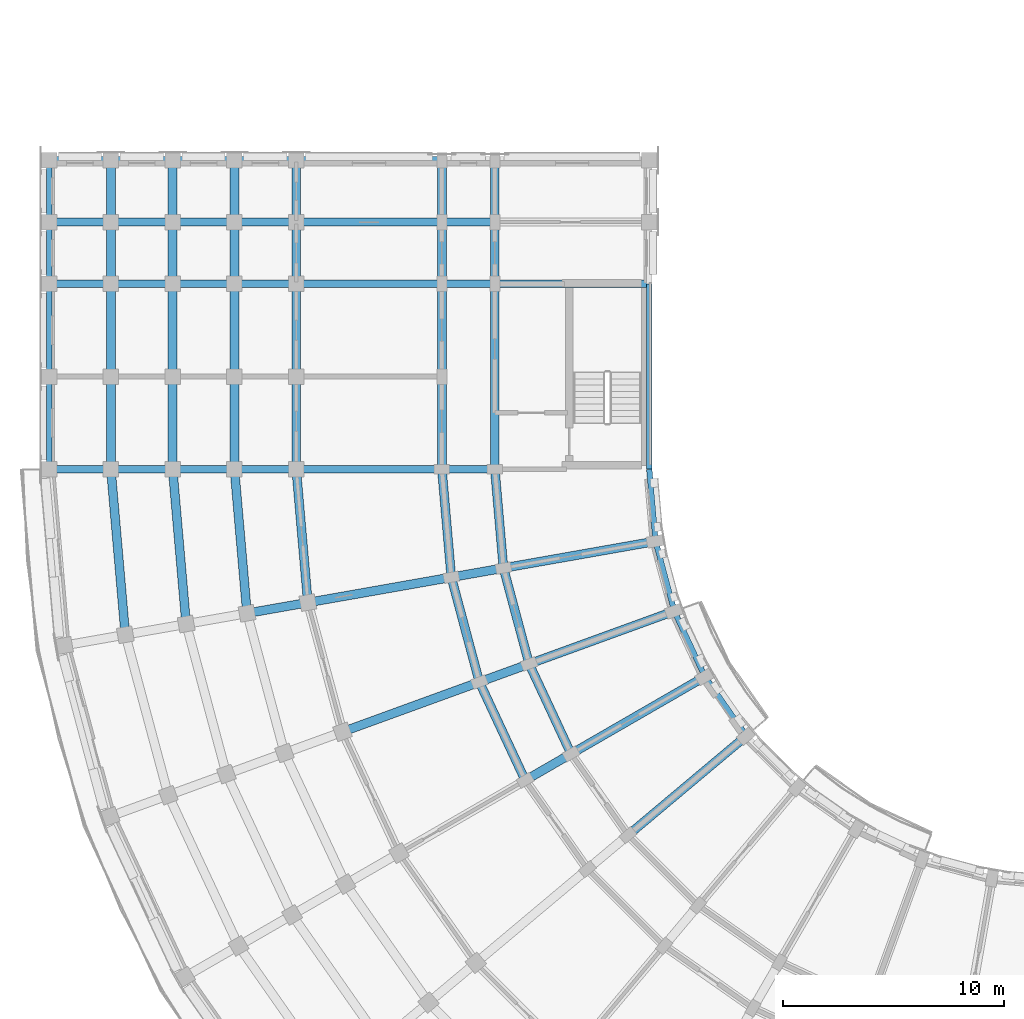
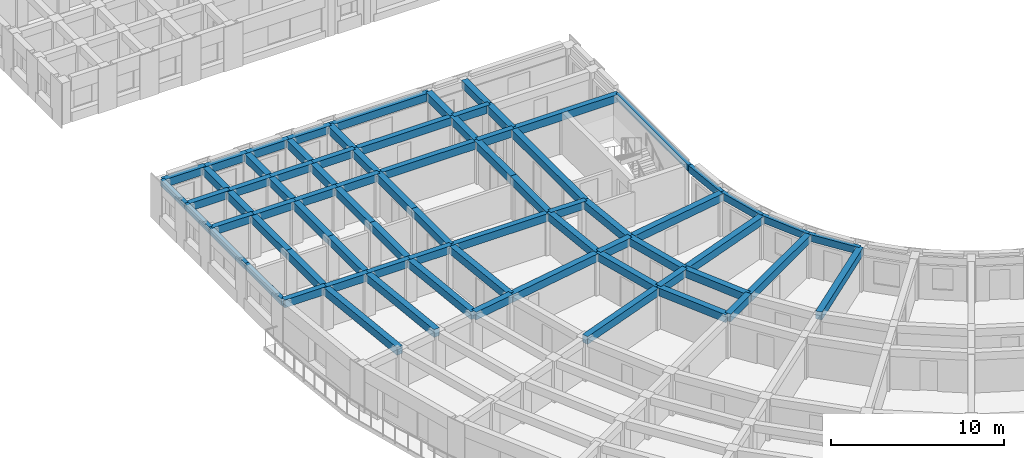
# One storey, part 6 of 57: 76 beams.
"""IFC4 building model written with IfcOpenShell, lengths in metres."""

from ifc_helpers import new_model, si_unit, direction, frame, origin, origin_2d, place, context, subcontext, project, spatial, rectangle, extrude, material, material_profile, profile_set, type_object, element, save


model = new_model("IFC4")

# Units and contexts
model_context = context("Model", 3, precision=1e-05, world=origin(), true_north=direction((0.0, 1.0)))
body_context = subcontext(model_context, "Body", "Model", "MODEL_VIEW")
ifc_project = project(units=[si_unit("LENGTHUNIT", "METRE"), si_unit("AREAUNIT", "SQUARE_METRE"), si_unit("VOLUMEUNIT", "CUBIC_METRE"), si_unit("PLANEANGLEUNIT", "RADIAN"), si_unit("MASSUNIT", "GRAM", prefix="KILO")], contexts=[model_context])

# Site, building, storey
site_placement = place(None, origin())
site = spatial("IfcSite", under=ifc_project, at=site_placement, CompositionType="ELEMENT")
building_placement = place(site_placement, origin())
building = spatial("IfcBuilding", under=site, at=building_placement, Name="Kiranvali Square Residences", CompositionType="ELEMENT")
storey_placement = place(building_placement, frame((0.0, 0.0, 18.14990234375)))
storey = spatial("IfcBuildingStorey", under=building, at=storey_placement, Name="L05", CompositionType="ELEMENT", Elevation=18.14990234375)

# Beams
ifc_material_1 = material(Name="Concrete M40 (40 MPa)", Category="concrete")
ifc_material_profile_1 = material_profile(ifc_material_1, rectangle(XDim=0.35009765625, YDim=0.550048828125, at=origin_2d()), Name="RC 350x550")
ifc_profile_set_1 = profile_set([ifc_material_profile_1], Name="Concrete M40 (40 MPa)")
beam_type_1 = type_object("IfcBeamType", Name="BM-M40-350x550", PredefinedType="BEAM", material=ifc_profile_set_1)
beam_1_placement = place(storey_placement, frame((22.39990234375, 48.199951171875, 2.655029296875), z_axis=(-1.0, 0.0, 0.0), x_axis=(0.0, -1.0, 0.0)))
element("IfcBeam", 1, at=beam_1_placement, inside=storey, type_object=beam_type_1, Name="L05 beam BM-C-L05-A2T0-12", PredefinedType="BEAM", context=body_context, shape_type="SweptSolid", body=[
    extrude(rectangle(XDim=0.35009765625, YDim=0.550048828125, at=origin_2d()), origin(), (0.0, 0.0, 1.0), 2.39990234375),
])
beam_2_placement = place(storey_placement, frame((20.0, 48.199951171875, 2.655029296875), z_axis=(-1.0, 0.0, 0.0), x_axis=(0.0, -1.0, 0.0)))
element("IfcBeam", 2, at=beam_2_placement, inside=storey, type_object=beam_type_1, Name="L05 beam BM-C-L05-A2T0-23", PredefinedType="BEAM", context=body_context, shape_type="SweptSolid", body=[
    extrude(rectangle(XDim=0.35009765625, YDim=0.550048828125, at=origin_2d()), origin(), (0.0, 0.0, 1.0), 6.60009765625),
])
beam_3_placement = place(storey_placement, frame((13.39990234375, 48.199951171875, 2.655029296875), z_axis=(-1.0, 0.0, 0.0), x_axis=(0.0, -1.0, 0.0)))
element("IfcBeam", 3, at=beam_3_placement, inside=storey, type_object=beam_type_1, Name="L05 beam BM-C-L05-A2T0-34", PredefinedType="BEAM", context=body_context, shape_type="SweptSolid", body=[
    extrude(rectangle(XDim=0.35009765625, YDim=0.550048828125, at=origin_2d()), origin(), (0.0, 0.0, 1.0), 2.7998046875),
])
for number, where, z_axis, x_axis, name in (
    (4, (10.60009765625, 48.199951171875, 2.655029296875), (-1.0, 0.0, 0.0), (0.0, -1.0, 0.0), "L05 beam BM-C-L05-A2T0-45"),
    (5, (7.800048828125, 48.199951171875, 2.655029296875), (-1.0, 0.0, 0.0), (0.0, -1.0, 0.0), "L05 beam BM-C-L05-A2T0-56"),
    (6, (5.0, 48.199951171875, 2.695068359375), (-1.0, 0.0, 0.0), (0.0, -1.0, 0.0), "L05 beam BM-C-L05-A2T0-67"),
):
    element("IfcBeam", number, at=place(storey_placement, frame(where, z_axis=z_axis, x_axis=x_axis)), inside=storey, type_object=beam_type_1, Name=name, PredefinedType="BEAM", context=body_context, shape_type="SweptSolid", body=[
        extrude(rectangle(XDim=0.35009765625, YDim=0.550048828125, at=origin_2d()), origin(), (0.0, 0.0, 1.0), 2.800048828125),
    ])
beam_4_placement = place(storey_placement, frame((29.39990234375, 56.60009765625, 2.655029296875), z_axis=(-1.0, 0.0, 0.0), x_axis=(0.0, -1.0, 0.0)))
element("IfcBeam", 7, at=beam_4_placement, inside=storey, type_object=beam_type_1, Name="L05 beam BM-C-L05-A2T1-01", PredefinedType="BEAM", context=body_context, shape_type="SweptSolid", body=[
    extrude(rectangle(XDim=0.35009765625, YDim=0.550048828125, at=origin_2d()), origin(), (0.0, 0.0, 1.0), 7.0),
])
beam_5_placement = place(storey_placement, frame((22.39990234375, 56.60009765625, 2.655029296875), z_axis=(-1.0, 0.0, 0.0), x_axis=(0.0, -1.0, 0.0)))
element("IfcBeam", 8, at=beam_5_placement, inside=storey, type_object=beam_type_1, Name="L05 beam BM-C-L05-A2T1-12", PredefinedType="BEAM", context=body_context, shape_type="SweptSolid", body=[
    extrude(rectangle(XDim=0.35009765625, YDim=0.550048828125, at=origin_2d()), origin(), (0.0, 0.0, 1.0), 2.39990234375),
])
beam_6_placement = place(storey_placement, frame((20.0, 56.60009765625, 2.655029296875), z_axis=(-1.0, 0.0, 0.0), x_axis=(0.0, -1.0, 0.0)))
element("IfcBeam", 9, at=beam_6_placement, inside=storey, type_object=beam_type_1, Name="L05 beam BM-C-L05-A2T1-23", PredefinedType="BEAM", context=body_context, shape_type="SweptSolid", body=[
    extrude(rectangle(XDim=0.35009765625, YDim=0.550048828125, at=origin_2d()), origin(), (0.0, 0.0, 1.0), 6.60009765625),
])
beam_7_placement = place(storey_placement, frame((13.39990234375, 56.60009765625, 2.655029296875), z_axis=(-1.0, 0.0, 0.0), x_axis=(0.0, -1.0, 0.0)))
element("IfcBeam", 10, at=beam_7_placement, inside=storey, type_object=beam_type_1, Name="L05 beam BM-C-L05-A2T1-34", PredefinedType="BEAM", context=body_context, shape_type="SweptSolid", body=[
    extrude(rectangle(XDim=0.35009765625, YDim=0.550048828125, at=origin_2d()), origin(), (0.0, 0.0, 1.0), 2.7998046875),
])
for number, where, z_axis, x_axis, name in (
    (11, (10.60009765625, 56.60009765625, 2.655029296875), (-1.0, 0.0, 0.0), (0.0, -1.0, 0.0), "L05 beam BM-C-L05-A2T1-45"),
    (12, (7.800048828125, 56.60009765625, 2.655029296875), (-1.0, 0.0, 0.0), (0.0, -1.0, 0.0), "L05 beam BM-C-L05-A2T1-56"),
    (13, (5.0, 56.60009765625, 2.695068359375), (-1.0, 0.0, 0.0), (0.0, -1.0, 0.0), "L05 beam BM-C-L05-A2T1-67"),
):
    element("IfcBeam", number, at=place(storey_placement, frame(where, z_axis=z_axis, x_axis=x_axis)), inside=storey, type_object=beam_type_1, Name=name, PredefinedType="BEAM", context=body_context, shape_type="SweptSolid", body=[
        extrude(rectangle(XDim=0.35009765625, YDim=0.550048828125, at=origin_2d()), origin(), (0.0, 0.0, 1.0), 2.800048828125),
    ])
beam_8_placement = place(storey_placement, frame((22.39990234375, 59.39990234375, 2.655029296875), z_axis=(-1.0, 0.0, 0.0), x_axis=(0.0, -1.0, 0.0)))
element("IfcBeam", 14, at=beam_8_placement, inside=storey, type_object=beam_type_1, Name="L05 beam BM-C-L05-A2T2-12", PredefinedType="BEAM", context=body_context, shape_type="SweptSolid", body=[
    extrude(rectangle(XDim=0.35009765625, YDim=0.550048828125, at=origin_2d()), origin(), (0.0, 0.0, 1.0), 2.39990234375),
])
beam_9_placement = place(storey_placement, frame((20.0, 59.39990234375, 2.655029296875), z_axis=(-1.0, 0.0, 0.0), x_axis=(0.0, -1.0, 0.0)))
element("IfcBeam", 15, at=beam_9_placement, inside=storey, type_object=beam_type_1, Name="L05 beam BM-C-L05-A2T2-23", PredefinedType="BEAM", context=body_context, shape_type="SweptSolid", body=[
    extrude(rectangle(XDim=0.35009765625, YDim=0.550048828125, at=origin_2d()), origin(), (0.0, 0.0, 1.0), 6.60009765625),
])
beam_10_placement = place(storey_placement, frame((13.39990234375, 59.39990234375, 2.655029296875), z_axis=(-1.0, 0.0, 0.0), x_axis=(0.0, -1.0, 0.0)))
element("IfcBeam", 16, at=beam_10_placement, inside=storey, type_object=beam_type_1, Name="L05 beam BM-C-L05-A2T2-34", PredefinedType="BEAM", context=body_context, shape_type="SweptSolid", body=[
    extrude(rectangle(XDim=0.35009765625, YDim=0.550048828125, at=origin_2d()), origin(), (0.0, 0.0, 1.0), 2.7998046875),
])
for number, where, z_axis, x_axis, name in (
    (17, (10.60009765625, 59.39990234375, 2.655029296875), (-1.0, 0.0, 0.0), (0.0, -1.0, 0.0), "L05 beam BM-C-L05-A2T2-45"),
    (18, (7.800048828125, 59.39990234375, 2.655029296875), (-1.0, 0.0, 0.0), (0.0, -1.0, 0.0), "L05 beam BM-C-L05-A2T2-56"),
    (19, (5.0, 59.39990234375, 2.695068359375), (-1.0, 0.0, 0.0), (0.0, -1.0, 0.0), "L05 beam BM-C-L05-A2T2-67"),
):
    element("IfcBeam", number, at=place(storey_placement, frame(where, z_axis=z_axis, x_axis=x_axis)), inside=storey, type_object=beam_type_1, Name=name, PredefinedType="BEAM", context=body_context, shape_type="SweptSolid", body=[
        extrude(rectangle(XDim=0.35009765625, YDim=0.550048828125, at=origin_2d()), origin(), (0.0, 0.0, 1.0), 2.800048828125),
    ])
beam_11_placement = place(storey_placement, frame((20.0, 62.199951171875, 2.655029296875), z_axis=(-1.0, 0.0, 0.0), x_axis=(0.0, -1.0, 0.0)))
element("IfcBeam", 20, at=beam_11_placement, inside=storey, type_object=beam_type_1, Name="L05 beam BM-C-L05-A2T3-23", PredefinedType="BEAM", context=body_context, shape_type="SweptSolid", body=[
    extrude(rectangle(XDim=0.35009765625, YDim=0.550048828125, at=origin_2d()), origin(), (0.0, 0.0, 1.0), 6.60009765625),
])
beam_12_placement = place(storey_placement, frame((13.39990234375, 62.199951171875, 2.655029296875), z_axis=(-1.0, 0.0, 0.0), x_axis=(0.0, -1.0, 0.0)))
element("IfcBeam", 21, at=beam_12_placement, inside=storey, type_object=beam_type_1, Name="L05 beam BM-C-L05-A2T3-34", PredefinedType="BEAM", context=body_context, shape_type="SweptSolid", body=[
    extrude(rectangle(XDim=0.35009765625, YDim=0.550048828125, at=origin_2d()), origin(), (0.0, 0.0, 1.0), 2.7998046875),
])
for number, where, z_axis, x_axis, name in (
    (22, (10.60009765625, 62.199951171875, 2.655029296875), (-1.0, 0.0, 0.0), (0.0, -1.0, 0.0), "L05 beam BM-C-L05-A2T3-45"),
    (23, (7.800048828125, 62.199951171875, 2.655029296875), (-1.0, 0.0, 0.0), (0.0, -1.0, 0.0), "L05 beam BM-C-L05-A2T3-56"),
    (24, (5.0, 62.199951171875, 2.695068359375), (-1.0, 0.0, 0.0), (0.0, -1.0, 0.0), "L05 beam BM-C-L05-A2T3-67"),
):
    element("IfcBeam", number, at=place(storey_placement, frame(where, z_axis=z_axis, x_axis=x_axis)), inside=storey, type_object=beam_type_1, Name=name, PredefinedType="BEAM", context=body_context, shape_type="SweptSolid", body=[
        extrude(rectangle(XDim=0.35009765625, YDim=0.550048828125, at=origin_2d()), origin(), (0.0, 0.0, 1.0), 2.800048828125),
    ])
ifc_material_2 = material(Name="Concrete M45 (45 MPa)", Category="concrete")
ifc_material_profile_2 = material_profile(ifc_material_2, rectangle(XDim=0.39990234375, YDim=0.550048828125, at=origin_2d()), Name="RC 400x550")
ifc_profile_set_2 = profile_set([ifc_material_profile_2], Name="Concrete M45 (45 MPa)")
beam_type_2 = type_object("IfcBeamType", Name="BM-M45-400x550", PredefinedType="BEAM", material=ifc_profile_set_2)
beam_13_placement = place(storey_placement, frame((25.8564453125, 35.300048828125, 2.655029296875), z_axis=(-0.422617978463, 0.906307919131, 0.0), x_axis=(-0.906307919131, -0.422617978463, 0.0)))
element("IfcBeam", 25, at=beam_13_placement, inside=storey, type_object=beam_type_2, Name="L05 beam BM-C-L05-C06-R1", PredefinedType="BEAM", context=body_context, shape_type="SweptSolid", body=[
    extrude(rectangle(XDim=0.39990234375, YDim=0.550048828125, at=origin_2d()), origin(), (0.0, 0.0, 1.0), 4.497314453125),
])
beam_14_placement = place(storey_placement, frame((23.778076171875, 34.10009765625, 2.655029296875), z_axis=(-0.422629854778, 0.906302381024, 0.0), x_axis=(-0.906302381024, -0.422629854778, 0.0)))
element("IfcBeam", 26, at=beam_14_placement, inside=storey, type_object=beam_type_2, Name="L05 beam BM-C-L05-C06-R2", PredefinedType="BEAM", context=body_context, shape_type="SweptSolid", body=[
    extrude(rectangle(XDim=0.39990234375, YDim=0.550048828125, at=origin_2d()), origin(), (0.0, 0.0, 1.0), 4.915283203125),
])
beam_15_placement = place(storey_placement, frame((23.955810546875, 39.3759765625, 2.655029296875), z_axis=(-0.258787642463, 0.965934240054, 0.0), x_axis=(-0.965934240054, -0.258787642463, 0.0)))
element("IfcBeam", 27, at=beam_15_placement, inside=storey, type_object=beam_type_2, Name="L05 beam BM-C-L05-C07-R1", PredefinedType="BEAM", context=body_context, shape_type="SweptSolid", body=[
    extrude(rectangle(XDim=0.39990234375, YDim=0.550048828125, at=origin_2d()), origin(), (0.0, 0.0, 1.0), 4.497314453125),
])
beam_16_placement = place(storey_placement, frame((21.70068359375, 38.554931640625, 2.655029296875), z_axis=(-0.258803112091, 0.965930095386, 0.0), x_axis=(-0.965930095386, -0.258803112091, 0.0)))
element("IfcBeam", 28, at=beam_16_placement, inside=storey, type_object=beam_type_2, Name="L05 beam BM-C-L05-C07-R2", PredefinedType="BEAM", context=body_context, shape_type="SweptSolid", body=[
    extrude(rectangle(XDim=0.39990234375, YDim=0.550048828125, at=origin_2d()), origin(), (0.0, 0.0, 1.0), 4.915771484375),
])
beam_17_placement = place(storey_placement, frame((22.7919921875, 43.719970703125, 2.655029296875), z_axis=(-0.087187153726, 0.996191949488, 0.0), x_axis=(-0.996191949488, -0.087187153726, 0.0)))
element("IfcBeam", 29, at=beam_17_placement, inside=storey, type_object=beam_type_2, Name="L05 beam BM-C-L05-C08-R1", PredefinedType="BEAM", context=body_context, shape_type="SweptSolid", body=[
    extrude(rectangle(XDim=0.39990234375, YDim=0.550048828125, at=origin_2d()), origin(), (0.0, 0.0, 1.0), 4.4970703125),
])
beam_18_placement = place(storey_placement, frame((20.428466796875, 43.30322265625, 2.655029296875), z_axis=(-0.087167566415, 0.996193663584, 0.0), x_axis=(-0.996193663584, -0.087167566415, 0.0)))
element("IfcBeam", 30, at=beam_18_placement, inside=storey, type_object=beam_type_2, Name="L05 beam BM-C-L05-C08-R2", PredefinedType="BEAM", context=body_context, shape_type="SweptSolid", body=[
    extrude(rectangle(XDim=0.39990234375, YDim=0.550048828125, at=origin_2d()), origin(), (0.0, 0.0, 1.0), 4.91552734375),
])
beam_19_placement = place(storey_placement, frame((13.9287109375, 42.156982421875, 2.655029296875), z_axis=(-0.087174938512, 0.996193018494, 0.0), x_axis=(-0.996193018494, -0.087174938512, 0.0)))
element("IfcBeam", 31, at=beam_19_placement, inside=storey, type_object=beam_type_2, Name="L05 beam BM-C-L05-C08-R3", PredefinedType="BEAM", context=body_context, shape_type="SweptSolid", body=[
    extrude(rectangle(XDim=0.39990234375, YDim=0.550048828125, at=origin_2d()), origin(), (0.0, 0.0, 1.0), 6.066162109375),
])
beam_20_placement = place(storey_placement, frame((11.171142578125, 41.6708984375, 2.655029296875), z_axis=(-0.0871295204, 0.996196991902, 0.0), x_axis=(-0.996196991902, -0.0871295204, 0.0)))
element("IfcBeam", 32, at=beam_20_placement, inside=storey, type_object=beam_type_2, Name="L05 beam BM-C-L05-C08-R4", PredefinedType="BEAM", context=body_context, shape_type="SweptSolid", body=[
    extrude(rectangle(XDim=0.39990234375, YDim=0.550048828125, at=origin_2d()), origin(), (0.0, 0.0, 1.0), 6.553955078125),
])
beam_21_placement = place(storey_placement, frame((8.413818359375, 41.1845703125, 2.655029296875), z_axis=(-0.087156198737, 0.996194658198, 0.0), x_axis=(-0.996194658198, -0.087156198737, 0.0)))
element("IfcBeam", 33, at=beam_21_placement, inside=storey, type_object=beam_type_2, Name="L05 beam BM-C-L05-C08-R5", PredefinedType="BEAM", context=body_context, shape_type="SweptSolid", body=[
    extrude(rectangle(XDim=0.39990234375, YDim=0.550048828125, at=origin_2d()), origin(), (0.0, 0.0, 1.0), 7.042236328125),
])
beam_22_placement = place(storey_placement, frame((5.65625, 40.698486328125, 2.655029296875), z_axis=(-0.087150058103, 0.996195195417, 0.0), x_axis=(-0.996195195417, -0.087150058103, 0.0)))
element("IfcBeam", 34, at=beam_22_placement, inside=storey, type_object=beam_type_2, Name="L05 beam BM-C-L05-C08-R6", PredefinedType="BEAM", context=body_context, shape_type="SweptSolid", body=[
    extrude(rectangle(XDim=0.39990234375, YDim=0.550048828125, at=origin_2d()), origin(), (0.0, 0.0, 1.0), 7.530029296875),
])
for number, where, z_axis, x_axis, name in (
    (35, (33.79833984375, 36.115478515625, 2.655029296875), (-0.766044173478, -0.642787931032, 0.0), (0.642787931032, -0.766044173478, 0.0), "L05 beam BM-C-L05-RAD05-01"),
    (36, (31.918701171875, 38.800048828125, 2.655029296875), (-0.866028190633, -0.499995173006, 0.0), (0.499995173006, -0.866028190633, 0.0), "L05 beam BM-C-L05-RAD06-01"),
):
    element("IfcBeam", number, at=place(storey_placement, frame(where, z_axis=z_axis, x_axis=x_axis)), inside=storey, type_object=beam_type_2, Name=name, PredefinedType="BEAM", context=body_context, shape_type="SweptSolid", body=[
        extrude(rectangle(XDim=0.39990234375, YDim=0.550048828125, at=origin_2d()), origin(), (0.0, 0.0, 1.0), 7.0),
    ])
beam_23_placement = place(storey_placement, frame((25.8564453125, 35.300048828125, 2.655029296875), z_axis=(-0.866024647952, -0.500001309137, 0.0), x_axis=(0.500001309137, -0.866024647952, 0.0)))
element("IfcBeam", 37, at=beam_23_placement, inside=storey, type_object=beam_type_2, Name="L05 beam BM-C-L05-RAD06-12", PredefinedType="BEAM", context=body_context, shape_type="SweptSolid", body=[
    extrude(rectangle(XDim=0.39990234375, YDim=0.550048828125, at=origin_2d()), origin(), (0.0, 0.0, 1.0), 2.39990234375),
])
beam_24_placement = place(storey_placement, frame((30.53369140625, 41.77001953125, 2.655029296875), z_axis=(-0.939697665127, -0.342006283793, 0.0), x_axis=(0.342006283793, -0.939697665127, 0.0)))
element("IfcBeam", 38, at=beam_24_placement, inside=storey, type_object=beam_type_2, Name="L05 beam BM-C-L05-RAD07-01", PredefinedType="BEAM", context=body_context, shape_type="SweptSolid", body=[
    extrude(rectangle(XDim=0.39990234375, YDim=0.550048828125, at=origin_2d()), origin(), (0.0, 0.0, 1.0), 7.0),
])
beam_25_placement = place(storey_placement, frame((23.955810546875, 39.3759765625, 2.655029296875), z_axis=(-0.939659694648, -0.342110593602, 0.0), x_axis=(0.342110593602, -0.939659694648, 0.0)))
element("IfcBeam", 39, at=beam_25_placement, inside=storey, type_object=beam_type_2, Name="L05 beam BM-C-L05-RAD07-12", PredefinedType="BEAM", context=body_context, shape_type="SweptSolid", body=[
    extrude(rectangle(XDim=0.39990234375, YDim=0.550048828125, at=origin_2d()), origin(), (0.0, 0.0, 1.0), 2.39990234375),
])
beam_26_placement = place(storey_placement, frame((21.70068359375, 38.554931640625, 2.655029296875), z_axis=(-0.939691858249, -0.342022238372, 0.0), x_axis=(0.342022238372, -0.939691858249, 0.0)))
element("IfcBeam", 40, at=beam_26_placement, inside=storey, type_object=beam_type_2, Name="L05 beam BM-C-L05-RAD07-23", PredefinedType="BEAM", context=body_context, shape_type="SweptSolid", body=[
    extrude(rectangle(XDim=0.39990234375, YDim=0.550048828125, at=origin_2d()), origin(), (0.0, 0.0, 1.0), 6.599853515625),
])
beam_27_placement = place(storey_placement, frame((29.685546875, 44.935302734375, 2.655029296875), z_axis=(-0.984812337125, -0.173622177865, 0.0), x_axis=(0.173622177865, -0.984812337125, 0.0)))
element("IfcBeam", 41, at=beam_27_placement, inside=storey, type_object=beam_type_2, Name="L05 beam BM-C-L05-RAD08-01", PredefinedType="BEAM", context=body_context, shape_type="SweptSolid", body=[
    extrude(rectangle(XDim=0.39990234375, YDim=0.550048828125, at=origin_2d()), origin(), (0.0, 0.0, 1.0), 6.999755859375),
])
beam_28_placement = place(storey_placement, frame((22.7919921875, 43.719970703125, 2.655029296875), z_axis=(-0.984808127031, -0.173646056486, 0.0), x_axis=(0.173646056486, -0.984808127031, 0.0)))
element("IfcBeam", 42, at=beam_28_placement, inside=storey, type_object=beam_type_2, Name="L05 beam BM-C-L05-RAD08-12", PredefinedType="BEAM", context=body_context, shape_type="SweptSolid", body=[
    extrude(rectangle(XDim=0.39990234375, YDim=0.550048828125, at=origin_2d()), origin(), (0.0, 0.0, 1.0), 2.39990234375),
])
beam_29_placement = place(storey_placement, frame((20.428466796875, 43.30322265625, 2.655029296875), z_axis=(-0.984803661269, -0.173671381499, 0.0), x_axis=(0.173671381499, -0.984803661269, 0.0)))
element("IfcBeam", 43, at=beam_29_placement, inside=storey, type_object=beam_type_2, Name="L05 beam BM-C-L05-RAD08-23", PredefinedType="BEAM", context=body_context, shape_type="SweptSolid", body=[
    extrude(rectangle(XDim=0.39990234375, YDim=0.550048828125, at=origin_2d()), origin(), (0.0, 0.0, 1.0), 6.60009765625),
])
beam_30_placement = place(storey_placement, frame((13.9287109375, 42.156982421875, 2.655029296875), z_axis=(-0.984816895441, -0.173596320392, 0.0), x_axis=(0.173596320392, -0.984816895441, 0.0)))
element("IfcBeam", 44, at=beam_30_placement, inside=storey, type_object=beam_type_2, Name="L05 beam BM-C-L05-RAD08-34", PredefinedType="BEAM", context=body_context, shape_type="SweptSolid", body=[
    extrude(rectangle(XDim=0.39990234375, YDim=0.550048828125, at=origin_2d()), origin(), (0.0, 0.0, 1.0), 2.800048828125),
])
beam_31_placement = place(storey_placement, frame((22.39990234375, 48.199951171875, 2.655029296875), z_axis=(0.0, 1.0, 0.0), x_axis=(-1.0, 0.0, 0.0)))
element("IfcBeam", 45, at=beam_31_placement, inside=storey, type_object=beam_type_2, Name="L05 beam BM-C-L05-A2V0-R1", PredefinedType="BEAM", context=body_context, shape_type="SweptSolid", body=[
    extrude(rectangle(XDim=0.39990234375, YDim=0.550048828125, at=origin_2d()), origin(), (0.0, 0.0, 1.0), 8.400146484375),
])
beam_32_placement = place(storey_placement, frame((22.39990234375, 56.60009765625, 2.655029296875), z_axis=(0.0, 1.0, 0.0), x_axis=(-1.0, 0.0, 0.0)))
element("IfcBeam", 46, at=beam_32_placement, inside=storey, type_object=beam_type_2, Name="L05 beam BM-C-L05-A2V1-R1", PredefinedType="BEAM", context=body_context, shape_type="SweptSolid", body=[
    extrude(rectangle(XDim=0.39990234375, YDim=0.550048828125, at=origin_2d()), origin(), (0.0, 0.0, 1.0), 2.7998046875),
])
beam_33_placement = place(storey_placement, frame((22.39990234375, 59.39990234375, 2.655029296875), z_axis=(0.0, 1.0, 0.0), x_axis=(-1.0, 0.0, 0.0)))
element("IfcBeam", 47, at=beam_33_placement, inside=storey, type_object=beam_type_2, Name="L05 beam BM-C-L05-A2V2-R1", PredefinedType="BEAM", context=body_context, shape_type="SweptSolid", body=[
    extrude(rectangle(XDim=0.39990234375, YDim=0.550048828125, at=origin_2d()), origin(), (0.0, 0.0, 1.0), 2.800048828125),
])
beam_34_placement = place(storey_placement, frame((20.0, 48.199951171875, 2.655029296875), z_axis=(0.0, 1.0, 0.0), x_axis=(-1.0, 0.0, 0.0)))
element("IfcBeam", 48, at=beam_34_placement, inside=storey, type_object=beam_type_2, Name="L05 beam BM-C-L05-A2V0-R2", PredefinedType="BEAM", context=body_context, shape_type="SweptSolid", body=[
    extrude(rectangle(XDim=0.39990234375, YDim=0.550048828125, at=origin_2d()), origin(), (0.0, 0.0, 1.0), 4.199951171875),
])
beam_35_placement = place(storey_placement, frame((20.0, 52.39990234375, 2.655029296875), z_axis=(0.0, 1.0, 0.0), x_axis=(-1.0, 0.0, 0.0)))
element("IfcBeam", 49, at=beam_35_placement, inside=storey, type_object=beam_type_2, Name="L05 beam BM-C-L05-A2V1-R2", PredefinedType="BEAM", context=body_context, shape_type="SweptSolid", body=[
    extrude(rectangle(XDim=0.39990234375, YDim=0.550048828125, at=origin_2d()), origin(), (0.0, 0.0, 1.0), 4.2001953125),
])
beam_36_placement = place(storey_placement, frame((20.0, 56.60009765625, 2.655029296875), z_axis=(0.0, 1.0, 0.0), x_axis=(-1.0, 0.0, 0.0)))
element("IfcBeam", 50, at=beam_36_placement, inside=storey, type_object=beam_type_2, Name="L05 beam BM-C-L05-A2V2-R2", PredefinedType="BEAM", context=body_context, shape_type="SweptSolid", body=[
    extrude(rectangle(XDim=0.39990234375, YDim=0.550048828125, at=origin_2d()), origin(), (0.0, 0.0, 1.0), 2.7998046875),
])
beam_37_placement = place(storey_placement, frame((20.0, 59.39990234375, 2.655029296875), z_axis=(0.0, 1.0, 0.0), x_axis=(-1.0, 0.0, 0.0)))
element("IfcBeam", 51, at=beam_37_placement, inside=storey, type_object=beam_type_2, Name="L05 beam BM-C-L05-A2V3-R2", PredefinedType="BEAM", context=body_context, shape_type="SweptSolid", body=[
    extrude(rectangle(XDim=0.39990234375, YDim=0.550048828125, at=origin_2d()), origin(), (0.0, 0.0, 1.0), 2.800048828125),
])
beam_38_placement = place(storey_placement, frame((13.39990234375, 48.199951171875, 2.655029296875), z_axis=(0.0, 1.0, 0.0), x_axis=(-1.0, 0.0, 0.0)))
element("IfcBeam", 52, at=beam_38_placement, inside=storey, type_object=beam_type_2, Name="L05 beam BM-C-L05-A2V0-R3", PredefinedType="BEAM", context=body_context, shape_type="SweptSolid", body=[
    extrude(rectangle(XDim=0.39990234375, YDim=0.550048828125, at=origin_2d()), origin(), (0.0, 0.0, 1.0), 4.199951171875),
])
beam_39_placement = place(storey_placement, frame((13.39990234375, 52.39990234375, 2.655029296875), z_axis=(0.0, 1.0, 0.0), x_axis=(-1.0, 0.0, 0.0)))
element("IfcBeam", 53, at=beam_39_placement, inside=storey, type_object=beam_type_2, Name="L05 beam BM-C-L05-A2V1-R3", PredefinedType="BEAM", context=body_context, shape_type="SweptSolid", body=[
    extrude(rectangle(XDim=0.39990234375, YDim=0.550048828125, at=origin_2d()), origin(), (0.0, 0.0, 1.0), 4.2001953125),
])
beam_40_placement = place(storey_placement, frame((13.39990234375, 56.60009765625, 2.655029296875), z_axis=(0.0, 1.0, 0.0), x_axis=(-1.0, 0.0, 0.0)))
element("IfcBeam", 54, at=beam_40_placement, inside=storey, type_object=beam_type_2, Name="L05 beam BM-C-L05-A2V2-R3", PredefinedType="BEAM", context=body_context, shape_type="SweptSolid", body=[
    extrude(rectangle(XDim=0.39990234375, YDim=0.550048828125, at=origin_2d()), origin(), (0.0, 0.0, 1.0), 2.7998046875),
])
beam_41_placement = place(storey_placement, frame((13.39990234375, 59.39990234375, 2.655029296875), z_axis=(0.0, 1.0, 0.0), x_axis=(-1.0, 0.0, 0.0)))
element("IfcBeam", 55, at=beam_41_placement, inside=storey, type_object=beam_type_2, Name="L05 beam BM-C-L05-A2V3-R3", PredefinedType="BEAM", context=body_context, shape_type="SweptSolid", body=[
    extrude(rectangle(XDim=0.39990234375, YDim=0.550048828125, at=origin_2d()), origin(), (0.0, 0.0, 1.0), 2.800048828125),
])
beam_42_placement = place(storey_placement, frame((10.60009765625, 48.199951171875, 2.655029296875), z_axis=(0.0, 1.0, 0.0), x_axis=(-1.0, 0.0, 0.0)))
element("IfcBeam", 56, at=beam_42_placement, inside=storey, type_object=beam_type_2, Name="L05 beam BM-C-L05-A2V0-R4", PredefinedType="BEAM", context=body_context, shape_type="SweptSolid", body=[
    extrude(rectangle(XDim=0.39990234375, YDim=0.550048828125, at=origin_2d()), origin(), (0.0, 0.0, 1.0), 4.199951171875),
])
beam_43_placement = place(storey_placement, frame((10.60009765625, 52.39990234375, 2.655029296875), z_axis=(0.0, 1.0, 0.0), x_axis=(-1.0, 0.0, 0.0)))
element("IfcBeam", 57, at=beam_43_placement, inside=storey, type_object=beam_type_2, Name="L05 beam BM-C-L05-A2V1-R4", PredefinedType="BEAM", context=body_context, shape_type="SweptSolid", body=[
    extrude(rectangle(XDim=0.39990234375, YDim=0.550048828125, at=origin_2d()), origin(), (0.0, 0.0, 1.0), 4.2001953125),
])
beam_44_placement = place(storey_placement, frame((10.60009765625, 56.60009765625, 2.655029296875), z_axis=(0.0, 1.0, 0.0), x_axis=(-1.0, 0.0, 0.0)))
element("IfcBeam", 58, at=beam_44_placement, inside=storey, type_object=beam_type_2, Name="L05 beam BM-C-L05-A2V2-R4", PredefinedType="BEAM", context=body_context, shape_type="SweptSolid", body=[
    extrude(rectangle(XDim=0.39990234375, YDim=0.550048828125, at=origin_2d()), origin(), (0.0, 0.0, 1.0), 2.7998046875),
])
beam_45_placement = place(storey_placement, frame((10.60009765625, 59.39990234375, 2.655029296875), z_axis=(0.0, 1.0, 0.0), x_axis=(-1.0, 0.0, 0.0)))
element("IfcBeam", 59, at=beam_45_placement, inside=storey, type_object=beam_type_2, Name="L05 beam BM-C-L05-A2V3-R4", PredefinedType="BEAM", context=body_context, shape_type="SweptSolid", body=[
    extrude(rectangle(XDim=0.39990234375, YDim=0.550048828125, at=origin_2d()), origin(), (0.0, 0.0, 1.0), 2.800048828125),
])
beam_46_placement = place(storey_placement, frame((7.800048828125, 48.199951171875, 2.655029296875), z_axis=(0.0, 1.0, 0.0), x_axis=(-1.0, 0.0, 0.0)))
element("IfcBeam", 60, at=beam_46_placement, inside=storey, type_object=beam_type_2, Name="L05 beam BM-C-L05-A2V0-R5", PredefinedType="BEAM", context=body_context, shape_type="SweptSolid", body=[
    extrude(rectangle(XDim=0.39990234375, YDim=0.550048828125, at=origin_2d()), origin(), (0.0, 0.0, 1.0), 4.199951171875),
])
beam_47_placement = place(storey_placement, frame((7.800048828125, 52.39990234375, 2.655029296875), z_axis=(0.0, 1.0, 0.0), x_axis=(-1.0, 0.0, 0.0)))
element("IfcBeam", 61, at=beam_47_placement, inside=storey, type_object=beam_type_2, Name="L05 beam BM-C-L05-A2V1-R5", PredefinedType="BEAM", context=body_context, shape_type="SweptSolid", body=[
    extrude(rectangle(XDim=0.39990234375, YDim=0.550048828125, at=origin_2d()), origin(), (0.0, 0.0, 1.0), 4.2001953125),
])
beam_48_placement = place(storey_placement, frame((7.800048828125, 56.60009765625, 2.655029296875), z_axis=(0.0, 1.0, 0.0), x_axis=(-1.0, 0.0, 0.0)))
element("IfcBeam", 62, at=beam_48_placement, inside=storey, type_object=beam_type_2, Name="L05 beam BM-C-L05-A2V2-R5", PredefinedType="BEAM", context=body_context, shape_type="SweptSolid", body=[
    extrude(rectangle(XDim=0.39990234375, YDim=0.550048828125, at=origin_2d()), origin(), (0.0, 0.0, 1.0), 2.7998046875),
])
beam_49_placement = place(storey_placement, frame((7.800048828125, 59.39990234375, 2.655029296875), z_axis=(0.0, 1.0, 0.0), x_axis=(-1.0, 0.0, 0.0)))
element("IfcBeam", 63, at=beam_49_placement, inside=storey, type_object=beam_type_2, Name="L05 beam BM-C-L05-A2V3-R5", PredefinedType="BEAM", context=body_context, shape_type="SweptSolid", body=[
    extrude(rectangle(XDim=0.39990234375, YDim=0.550048828125, at=origin_2d()), origin(), (0.0, 0.0, 1.0), 2.800048828125),
])
beam_50_placement = place(storey_placement, frame((5.0, 48.199951171875, 2.655029296875), z_axis=(0.0, 1.0, 0.0), x_axis=(-1.0, 0.0, 0.0)))
element("IfcBeam", 64, at=beam_50_placement, inside=storey, type_object=beam_type_2, Name="L05 beam BM-C-L05-A2V0-R6", PredefinedType="BEAM", context=body_context, shape_type="SweptSolid", body=[
    extrude(rectangle(XDim=0.39990234375, YDim=0.550048828125, at=origin_2d()), origin(), (0.0, 0.0, 1.0), 4.199951171875),
])
beam_51_placement = place(storey_placement, frame((5.0, 52.39990234375, 2.655029296875), z_axis=(0.0, 1.0, 0.0), x_axis=(-1.0, 0.0, 0.0)))
element("IfcBeam", 65, at=beam_51_placement, inside=storey, type_object=beam_type_2, Name="L05 beam BM-C-L05-A2V1-R6", PredefinedType="BEAM", context=body_context, shape_type="SweptSolid", body=[
    extrude(rectangle(XDim=0.39990234375, YDim=0.550048828125, at=origin_2d()), origin(), (0.0, 0.0, 1.0), 4.2001953125),
])
beam_52_placement = place(storey_placement, frame((5.0, 56.60009765625, 2.655029296875), z_axis=(0.0, 1.0, 0.0), x_axis=(-1.0, 0.0, 0.0)))
element("IfcBeam", 66, at=beam_52_placement, inside=storey, type_object=beam_type_2, Name="L05 beam BM-C-L05-A2V2-R6", PredefinedType="BEAM", context=body_context, shape_type="SweptSolid", body=[
    extrude(rectangle(XDim=0.39990234375, YDim=0.550048828125, at=origin_2d()), origin(), (0.0, 0.0, 1.0), 2.7998046875),
])
beam_53_placement = place(storey_placement, frame((5.0, 59.39990234375, 2.655029296875), z_axis=(0.0, 1.0, 0.0), x_axis=(-1.0, 0.0, 0.0)))
element("IfcBeam", 67, at=beam_53_placement, inside=storey, type_object=beam_type_2, Name="L05 beam BM-C-L05-A2V3-R6", PredefinedType="BEAM", context=body_context, shape_type="SweptSolid", body=[
    extrude(rectangle(XDim=0.39990234375, YDim=0.550048828125, at=origin_2d()), origin(), (0.0, 0.0, 1.0), 2.800048828125),
])
ifc_material_profile_3 = material_profile(ifc_material_1, rectangle(XDim=0.25, YDim=0.449951171875, at=origin_2d()), Name="RC 250x450")
ifc_profile_set_3 = profile_set([ifc_material_profile_3], Name="Concrete M40 (40 MPa)")
beam_type_3 = type_object("IfcBeamType", Name="SPN-M40-250x450", PredefinedType="SPANDREL", material=ifc_profile_set_3)
beam_54_placement = place(storey_placement, frame((29.39990234375, 48.199951171875, 2.705078125), z_axis=(0.0, 1.0, 0.0), x_axis=(-1.0, 0.0, 0.0)))
element("IfcBeam", 68, at=beam_54_placement, inside=storey, type_object=beam_type_3, Name="L05 beam BM-C-L05-A2V0-R0", PredefinedType="SPANDREL", context=body_context, shape_type="SweptSolid", body=[
    extrude(rectangle(XDim=0.25, YDim=0.449951171875, at=origin_2d()), origin(), (0.0, 0.0, 1.0), 8.400146484375),
])
beam_55_placement = place(storey_placement, frame((2.199951171875, 48.199951171875, 2.7451171875), z_axis=(0.0, 1.0, 0.0), x_axis=(-1.0, 0.0, 0.0)))
element("IfcBeam", 69, at=beam_55_placement, inside=storey, type_object=beam_type_3, Name="L05 beam BM-C-L05-A2V0-R7", PredefinedType="SPANDREL", context=body_context, shape_type="SweptSolid", body=[
    extrude(rectangle(XDim=0.25, YDim=0.449951171875, at=origin_2d()), origin(), (0.0, 0.0, 1.0), 4.199951171875),
])
beam_56_placement = place(storey_placement, frame((2.199951171875, 52.39990234375, 2.7451171875), z_axis=(0.0, 1.0, 0.0), x_axis=(-1.0, 0.0, 0.0)))
element("IfcBeam", 70, at=beam_56_placement, inside=storey, type_object=beam_type_3, Name="L05 beam BM-C-L05-A2V1-R7", PredefinedType="SPANDREL", context=body_context, shape_type="SweptSolid", body=[
    extrude(rectangle(XDim=0.25, YDim=0.449951171875, at=origin_2d()), origin(), (0.0, 0.0, 1.0), 4.2001953125),
])
beam_57_placement = place(storey_placement, frame((2.199951171875, 56.60009765625, 2.7451171875), z_axis=(0.0, 1.0, 0.0), x_axis=(-1.0, 0.0, 0.0)))
element("IfcBeam", 71, at=beam_57_placement, inside=storey, type_object=beam_type_3, Name="L05 beam BM-C-L05-A2V2-R7", PredefinedType="SPANDREL", context=body_context, shape_type="SweptSolid", body=[
    extrude(rectangle(XDim=0.25, YDim=0.449951171875, at=origin_2d()), origin(), (0.0, 0.0, 1.0), 2.7998046875),
])
beam_58_placement = place(storey_placement, frame((2.199951171875, 59.39990234375, 2.7451171875), z_axis=(0.0, 1.0, 0.0), x_axis=(-1.0, 0.0, 0.0)))
element("IfcBeam", 72, at=beam_58_placement, inside=storey, type_object=beam_type_3, Name="L05 beam BM-C-L05-A2V3-R7", PredefinedType="SPANDREL", context=body_context, shape_type="SweptSolid", body=[
    extrude(rectangle(XDim=0.25, YDim=0.449951171875, at=origin_2d()), origin(), (0.0, 0.0, 1.0), 2.800048828125),
])
ifc_material_profile_4 = material_profile(ifc_material_1, rectangle(XDim=0.25, YDim=0.5, at=origin_2d()), Name="RC 250x500")
ifc_profile_set_4 = profile_set([ifc_material_profile_4], Name="Concrete M40 (40 MPa)")
beam_type_4 = type_object("IfcBeamType", Name="SPN-M40-250x500", PredefinedType="SPANDREL", material=ifc_profile_set_4)
for number, where, z_axis, x_axis, name in (
    (73, (33.79833984375, 36.115478515625, 2.68017578125), (-0.573552337269, 0.81916891812, 0.0), (-0.81916891812, -0.573552337269, 0.0), "L05 beam BM-C-L05-C05-R0"),
    (74, (31.918701171875, 38.800048828125, 2.68017578125), (-0.422640740585, 0.90629730464, 0.0), (-0.90629730464, -0.422640740585, 0.0), "L05 beam BM-C-L05-C06-R0"),
):
    element("IfcBeam", number, at=place(storey_placement, frame(where, z_axis=z_axis, x_axis=x_axis)), inside=storey, type_object=beam_type_4, Name=name, PredefinedType="SPANDREL", context=body_context, shape_type="SweptSolid", body=[
        extrude(rectangle(XDim=0.25, YDim=0.5, at=origin_2d()), origin(), (0.0, 0.0, 1.0), 3.277099609375),
    ])
beam_59_placement = place(storey_placement, frame((30.53369140625, 41.77001953125, 2.68017578125), z_axis=(-0.258821736607, 0.965925105099, 0.0), x_axis=(-0.965925105099, -0.258821736607, 0.0)))
element("IfcBeam", 75, at=beam_59_placement, inside=storey, type_object=beam_type_4, Name="L05 beam BM-C-L05-C07-R0", PredefinedType="SPANDREL", context=body_context, shape_type="SweptSolid", body=[
    extrude(rectangle(XDim=0.25, YDim=0.5, at=origin_2d()), origin(), (0.0, 0.0, 1.0), 3.27685546875),
])
beam_60_placement = place(storey_placement, frame((29.685546875, 44.935302734375, 2.68017578125), z_axis=(-0.087163253657, 0.996194040944, 0.0), x_axis=(-0.996194040944, -0.087163253657, 0.0)))
element("IfcBeam", 76, at=beam_60_placement, inside=storey, type_object=beam_type_4, Name="L05 beam BM-C-L05-C08-R0", PredefinedType="SPANDREL", context=body_context, shape_type="SweptSolid", body=[
    extrude(rectangle(XDim=0.25, YDim=0.5, at=origin_2d()), origin(), (0.0, 0.0, 1.0), 3.277099609375),
])

save(model, "model.ifc")
